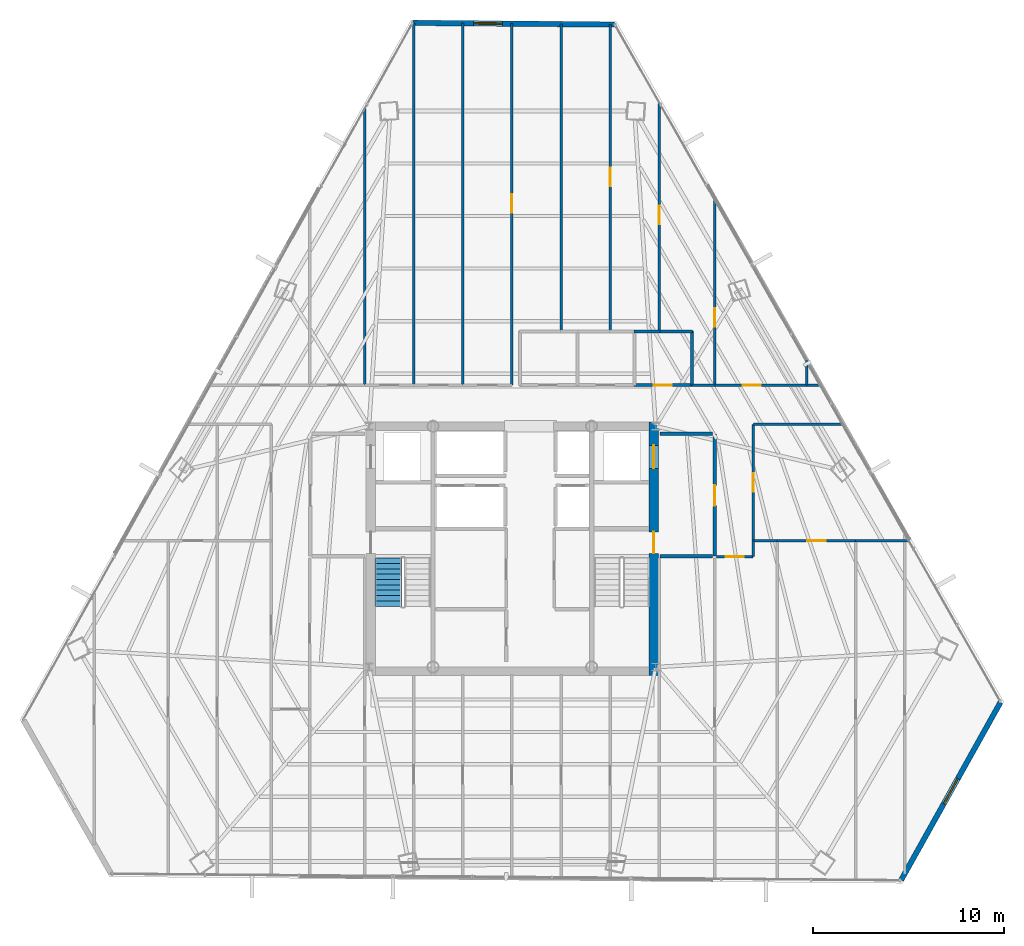
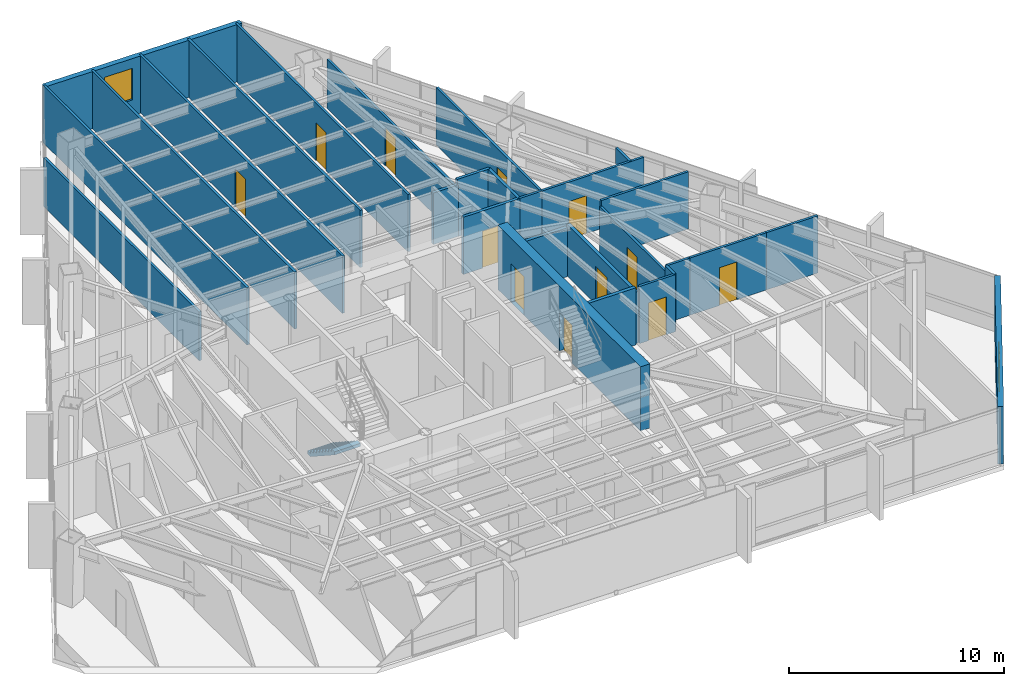
# One storey, part 36 of 40: 28 walls, 12 doors, 2 windows, 1 stair flight, 14 openings, 1 element without a shape of its own.
"""IFC4 building model written with IfcOpenShell, lengths in metres."""

from ifc_helpers import new_model, si_unit, direction, frame, frame_2d, origin, place, context, subcontext, project, spatial, polyline, rectangle, outline, extrude, material, layer, layer_set, type_object, element, fill, aggregate, save


model = new_model("IFC4")

# Units and contexts
model_context = context("Model", 3, precision=1e-05, world=origin(), true_north=direction((0.0, 1.0)))
body_context = subcontext(model_context, "Body", "Model", "MODEL_VIEW")
ifc_project = project(units=[si_unit("LENGTHUNIT", "METRE"), si_unit("AREAUNIT", "SQUARE_METRE"), si_unit("VOLUMEUNIT", "CUBIC_METRE"), si_unit("PLANEANGLEUNIT", "RADIAN"), si_unit("MASSUNIT", "GRAM", prefix="KILO")], contexts=[model_context])

# Site, building, storey
site_placement = place(None, origin())
site = spatial("IfcSite", under=ifc_project, at=site_placement, CompositionType="ELEMENT")
building_placement = place(site_placement, origin())
building = spatial("IfcBuilding", under=site, at=building_placement, Name="Caelisora Broadcast Tower", CompositionType="ELEMENT")
storey_placement = place(building_placement, frame((0.0, 0.0, 146.39990234375)))
storey = spatial("IfcBuildingStorey", under=building, at=storey_placement, Name="L38", CompositionType="ELEMENT", Elevation=146.39990234375)

# Wall, openings, doors
ifc_material_1 = material(Name="Concrete 50 MPa (AS 3600 S50)", Category="concrete")
ifc_layer_1 = layer(ifc_material_1, 0.5, Name="Concrete 50 MPa (AS 3600 S50)")
ifc_layer_set_1 = layer_set([ifc_layer_1], Name="Concrete 50 MPa (AS 3600 S50)")
wall_type_1 = type_object("IfcWallType", Name="CW2", PredefinedType="SHEAR", material=ifc_layer_set_1)
wall_1_placement = place(storey_placement, frame((45.409912109375, 16.949951171875, 0.0), z_axis=(0.0, 0.0, 1.0), x_axis=(0.0, 1.0, 0.0)))
wall_1 = element("IfcWall", 1, at=wall_1_placement, inside=storey, type_object=wall_type_1, Name="L38 core shear wall CW2", PredefinedType="SHEAR", context=body_context, shape_type="SweptSolid", body=[
    extrude(rectangle(XDim=13.275146484375, YDim=0.5, at=frame_2d((6.6376953125, 0.0))), origin(), (0.0, 0.0, 1.0), 3.650146484375),
])
opening_1_placement = place(wall_1_placement, frame((6.39990234375, 0.0, 0.0)))
opening_1 = element("IfcOpeningElement", 2, at=opening_1_placement, cuts=wall_1, Name="Opening FD04", PredefinedType="OPENING", context=body_context, shape_type="SweptSolid", body=[
    extrude(rectangle(XDim=1.1201171875, YDim=2.14990234375, at=frame_2d((0.56005859375, 1.074951171875))), frame((0.0, 0.261962890625, 0.0), z_axis=(0.0, -1.0, 0.0), x_axis=(1.0, 0.0, 0.0)), (0.0, 0.0, 1.0), 0.52392578125),
])
opening_2_placement = place(wall_1_placement, frame((10.85009765625, 0.0, 0.0)))
opening_2 = element("IfcOpeningElement", 3, at=opening_2_placement, cuts=wall_1, Name="Opening LD04", PredefinedType="OPENING", context=body_context, shape_type="SweptSolid", body=[
    extrude(rectangle(XDim=1.199951171875, YDim=2.199951171875, at=frame_2d((0.60009765625, 1.10009765625))), frame((0.0, 0.261962890625, 0.0), z_axis=(0.0, -1.0, 0.0), x_axis=(1.0, 0.0, 0.0)), (0.0, 0.0, 1.0), 0.52392578125),
])
ifc_material_2 = material(Name="Pressurised Fire-Isolated Stair Door", Category="steel")
door_type_1 = type_object("IfcDoorType", Name="FD04", OperationType="NOTDEFINED", PredefinedType="DOOR", material=ifc_material_2)
door_1_placement = place(opening_1_placement, origin())
door_1 = element("IfcDoor", 4, at=door_1_placement, inside=storey, type_object=door_type_1, Name="L38 door FD04 (L38-DR-ST2)", OperationType="SINGLE_SWING_RIGHT", OverallHeight=2.14990234375, OverallWidth=1.1201171875, PredefinedType="DOOR", context=body_context, shape_type="SweptSolid", body=[
    extrude(rectangle(XDim=1.1201171875, YDim=2.14990234375, at=frame_2d((0.56005859375, 1.074951171875))), frame((0.0, 0.02490234375, 0.0), z_axis=(0.0, -1.0, 0.0), x_axis=(1.0, 0.0, 0.0)), (0.0, 0.0, 1.0), 0.050048828125),
])
fill(opening_1, door_1)
ifc_material_3 = material(Name="Emergency Firefighting Lift Sliding Landing Door", Category="steel")
door_type_2 = type_object("IfcDoorType", Name="LD04", OperationType="NOTDEFINED", PredefinedType="DOOR", material=ifc_material_3)
door_2_placement = place(opening_2_placement, origin())
door_2 = element("IfcDoor", 5, at=door_2_placement, inside=storey, type_object=door_type_2, Name="L38 door LD04 (L38-LD-FFL2)", OperationType="SLIDING_TO_RIGHT", OverallHeight=2.199951171875, OverallWidth=1.199951171875, PredefinedType="DOOR", context=body_context, shape_type="SweptSolid", body=[
    extrude(rectangle(XDim=1.199951171875, YDim=2.199951171875, at=frame_2d((0.60009765625, 1.10009765625))), frame((0.0, 0.02490234375, 0.0), z_axis=(0.0, -1.0, 0.0), x_axis=(1.0, 0.0, 0.0)), (0.0, 0.0, 1.0), 0.050048828125),
])
fill(opening_2, door_2)

# Wall, opening, window
ifc_material_4 = material(Name="Insulated Terracotta Spandrel Wall System", Category="masonry")
ifc_layer_2 = layer(ifc_material_4, 0.280029296875, Name="Insulated Terracotta Spandrel Wall System")
ifc_layer_set_2 = layer_set([ifc_layer_2], Name="Insulated Terracotta Spandrel Wall System")
wall_type_2 = type_object("IfcWallType", Name="EW1", PredefinedType="STANDARD", material=ifc_layer_set_2)
wall_2_placement = place(storey_placement, frame((63.534423828125, 15.552734375, 0.0), z_axis=(0.0, 0.0, 1.0), x_axis=(-0.48784707471, -0.87292911035, 0.0)))
wall_2 = element("IfcWall", 6, at=wall_2_placement, inside=storey, type_object=wall_type_2, Name="L38 exterior envelope wall EW1", PredefinedType="STANDARD", context=body_context, shape_type="SweptSolid", body=[
    extrude(rectangle(XDim=10.638427734375, YDim=0.280029296875, at=frame_2d((5.3193359375, 0.0))), origin(), (0.0, 0.0, 1.0), 3.25),
])
opening_3_placement = place(wall_2_placement, frame((4.570068359375, 0.0, 0.89990234375)))
opening_3 = element("IfcOpeningElement", 7, at=opening_3_placement, cuts=wall_2, Name="Opening W02", PredefinedType="OPENING", context=body_context, shape_type="SweptSolid", body=[
    extrude(rectangle(XDim=1.5, YDim=1.800048828125, at=frame_2d((0.75, 0.89990234375))), frame((0.0, 0.152099609375, 0.0), z_axis=(0.0, -1.0, 0.0), x_axis=(1.0, 0.0, 0.0)), (0.0, 0.0, 1.0), 0.303955078125),
])
ifc_material_5 = material(Name="Double Glazed Terracotta-Framed Vision Window", Category="glass")
window_type = type_object("IfcWindowType", Name="W02", PartitioningType="SINGLE_PANEL", PredefinedType="WINDOW", material=ifc_material_5)
window_1_placement = place(opening_3_placement, origin())
window_1 = element("IfcWindow", 8, at=window_1_placement, inside=storey, type_object=window_type, Name="L38 window W02 (L38-WN-CH0)", OverallHeight=1.800048828125, OverallWidth=1.5, PartitioningType="SINGLE_PANEL", PredefinedType="WINDOW", context=body_context, shape_type="SweptSolid", body=[
    extrude(rectangle(XDim=1.5, YDim=1.800048828125, at=frame_2d((0.75, 0.89990234375))), frame((0.0, 0.030029296875, 0.0), z_axis=(0.0, -1.0, 0.0), x_axis=(1.0, 0.0, 0.0)), (0.0, 0.0, 1.0), 0.06005859375),
])
fill(opening_3, window_1)

wall_3_placement = place(storey_placement, frame((32.81591796875, 51.099853515625, 0.0), z_axis=(0.0, 0.0, 1.0), x_axis=(0.999966077303, -0.008236761739, 0.0)))
wall_3 = element("IfcWall", 9, at=wall_3_placement, inside=storey, type_object=wall_type_2, Name="L38 exterior envelope wall EW1", PredefinedType="STANDARD", context=body_context, shape_type="SweptSolid", body=[
    extrude(rectangle(XDim=10.522216796875, YDim=0.280029296875, at=frame_2d((5.26123046875, 0.0))), origin(), (0.0, 0.0, 1.0), 3.25),
])
opening_4_placement = place(wall_3_placement, frame((3.159912109375, 0.0, 0.89990234375)))
opening_4 = element("IfcOpeningElement", 10, at=opening_4_placement, cuts=wall_3, Name="Opening W02", PredefinedType="OPENING", context=body_context, shape_type="SweptSolid", body=[
    extrude(rectangle(XDim=1.5, YDim=1.800048828125, at=frame_2d((0.75, 0.89990234375))), frame((0.0, 0.152099609375, 0.0), z_axis=(0.0, -1.0, 0.0), x_axis=(1.0, 0.0, 0.0)), (0.0, 0.0, 1.0), 0.303955078125),
])
window_2_placement = place(opening_4_placement, origin())
window_2 = element("IfcWindow", 11, at=window_2_placement, inside=storey, type_object=window_type, Name="L38 window W02 (L38-WN-CH8)", OverallHeight=1.800048828125, OverallWidth=1.5, PartitioningType="SINGLE_PANEL", PredefinedType="WINDOW", context=body_context, shape_type="SweptSolid", body=[
    extrude(rectangle(XDim=1.5, YDim=1.800048828125, at=frame_2d((0.75, 0.89990234375))), frame((0.0, 0.030029296875, 0.0), z_axis=(0.0, -1.0, 0.0), x_axis=(1.0, 0.0, 0.0)), (0.0, 0.0, 1.0), 0.06005859375),
])
fill(opening_4, window_2)

# Wall, opening, door
ifc_material_6 = material(Name="Fire-Rated Gypsum Shaft and Compartment Wall", Category="gypsum")
ifc_layer_3 = layer(ifc_material_6, 0.179931640625, Name="Fire-Rated Gypsum Shaft and Compartment Wall")
ifc_layer_set_3 = layer_set([ifc_layer_3], Name="Fire-Rated Gypsum Shaft and Compartment Wall")
wall_type_3 = type_object("IfcWallType", Name="PW2", PredefinedType="PARTITIONING", material=ifc_layer_set_3)
wall_4_placement = place(storey_placement, frame((48.580078125, 23.199951171875, 0.0), z_axis=(0.0, 0.0, 1.0), x_axis=(0.0, 1.0, 0.0)))
wall_4 = element("IfcWall", 12, at=wall_4_placement, inside=storey, type_object=wall_type_3, Name="L38 fire compartment wall PW2", PredefinedType="PARTITIONING", context=body_context, shape_type="SweptSolid", body=[
    extrude(rectangle(XDim=6.400146484375, YDim=0.179931640625, at=frame_2d((3.2001953125, 0.0))), origin(), (0.0, 0.0, 1.0), 2.927978515625),
])
opening_5_placement = place(wall_4_placement, frame((2.64990234375, 0.0, 0.0)))
opening_5 = element("IfcOpeningElement", 13, at=opening_5_placement, cuts=wall_4, Name="Opening FD02", PredefinedType="OPENING", context=body_context, shape_type="SweptSolid", body=[
    extrude(rectangle(XDim=1.050048828125, YDim=2.14990234375, at=frame_2d((0.52490234375, 1.074951171875))), frame((0.0, 0.10205078125, 0.0), z_axis=(0.0, -1.0, 0.0), x_axis=(1.0, 0.0, 0.0)), (0.0, 0.0, 1.0), 0.203857421875),
])
ifc_material_7 = material(Name="Single-Leaf Steel Fire Lobby Door", Category="steel")
door_type_3 = type_object("IfcDoorType", Name="FD02", OperationType="NOTDEFINED", PredefinedType="DOOR", material=ifc_material_7)
door_3_placement = place(opening_5_placement, origin())
door_3 = element("IfcDoor", 14, at=door_3_placement, inside=storey, type_object=door_type_3, Name="L38 door FD02 (L38-DR-P04D1)", OperationType="SINGLE_SWING_RIGHT", OverallHeight=2.14990234375, OverallWidth=1.050048828125, PredefinedType="DOOR", context=body_context, shape_type="SweptSolid", body=[
    extrude(rectangle(XDim=1.050048828125, YDim=2.14990234375, at=frame_2d((0.52490234375, 1.074951171875))), frame((0.0, 0.02490234375, 0.0), z_axis=(0.0, -1.0, 0.0), x_axis=(1.0, 0.0, 0.0)), (0.0, 0.0, 1.0), 0.050048828125),
])
fill(opening_5, door_3)

# Walls
wall_5_placement = place(storey_placement, frame((45.719970703125, 23.199951171875, 0.0), z_axis=(0.0, 0.0, 1.0), x_axis=(1.0, 0.0, 0.0)))
element("IfcWall", 15, at=wall_5_placement, inside=storey, type_object=wall_type_3, Name="L38 fire compartment wall PW2", PredefinedType="PARTITIONING", context=body_context, shape_type="SweptSolid", body=[
    extrude(rectangle(XDim=2.760009765625, YDim=0.179931640625, at=frame_2d((1.3798828125, 0.0))), origin(), (0.0, 0.0, 1.0), 3.25),
])
wall_6_placement = place(storey_placement, frame((45.719970703125, 29.60009765625, 0.0), z_axis=(0.0, 0.0, 1.0), x_axis=(1.0, 0.0, 0.0)))
element("IfcWall", 16, at=wall_6_placement, inside=storey, type_object=wall_type_3, Name="L38 fire compartment wall PW2", PredefinedType="PARTITIONING", context=body_context, shape_type="SweptSolid", body=[
    extrude(rectangle(XDim=2.760009765625, YDim=0.179931640625, at=frame_2d((1.3798828125, 0.0))), origin(), (0.0, 0.0, 1.0), 2.774658203125),
])
ifc_material_8 = material(Name="Acoustic Steel-Stud Plasterboard Partition", Category="gypsum")
ifc_layer_4 = layer(ifc_material_8, 0.1298828125, Name="Acoustic Steel-Stud Plasterboard Partition")
ifc_layer_set_4 = layer_set([ifc_layer_4], Name="Acoustic Steel-Stud Plasterboard Partition")
wall_type_4 = type_object("IfcWallType", Name="PW3", PredefinedType="PARTITIONING", material=ifc_layer_set_4)
wall_7_placement = place(storey_placement, frame((32.85009765625, 32.155029296875, 0.0), z_axis=(0.0, 0.0, 1.0), x_axis=(0.0, 1.0, 0.0)))
element("IfcWall", 17, at=wall_7_placement, inside=storey, type_object=wall_type_4, Name="L38 internal partition PW3", PredefinedType="PARTITIONING", context=body_context, shape_type="SweptSolid", body=[
    extrude(rectangle(XDim=18.94970703125, YDim=0.1298828125, at=frame_2d((9.474853515625, 0.0))), origin(), (0.0, 0.0, 1.0), 3.25),
])
wall_8_placement = place(storey_placement, frame((35.409912109375, 32.155029296875, 0.0), z_axis=(0.0, 0.0, 1.0), x_axis=(0.0, 1.0, 0.0)))
element("IfcWall", 18, at=wall_8_placement, inside=storey, type_object=wall_type_4, Name="L38 internal partition PW3", PredefinedType="PARTITIONING", context=body_context, shape_type="SweptSolid", body=[
    extrude(rectangle(XDim=18.928466796875, YDim=0.1298828125, at=frame_2d((9.46435546875, 0.0))), origin(), (0.0, 0.0, 1.0), 3.25),
])

# Wall, opening, door
wall_9_placement = place(storey_placement, frame((37.97998046875, 32.155029296875, 0.0), z_axis=(0.0, 0.0, 1.0), x_axis=(0.0, 1.0, 0.0)))
wall_9 = element("IfcWall", 19, at=wall_9_placement, inside=storey, type_object=wall_type_4, Name="L38 internal partition PW3", PredefinedType="PARTITIONING", context=body_context, shape_type="SweptSolid", body=[
    extrude(rectangle(XDim=18.9072265625, YDim=0.1298828125, at=frame_2d((9.45361328125, 0.0))), origin(), (0.0, 0.0, 1.0), 3.25),
])
opening_6_placement = place(wall_9_placement, frame((9.02197265625, 0.0, 0.0)))
opening_6 = element("IfcOpeningElement", 20, at=opening_6_placement, cuts=wall_9, Name="Opening D01", PredefinedType="OPENING", context=body_context, shape_type="SweptSolid", body=[
    extrude(rectangle(XDim=0.9599609375, YDim=2.14990234375, at=frame_2d((0.47998046875, 1.074951171875))), frame((0.0, 0.076904296875, 0.0), z_axis=(0.0, -1.0, 0.0), x_axis=(1.0, 0.0, 0.0)), (0.0, 0.0, 1.0), 0.15380859375),
])
ifc_material_9 = material(Name="Solid-Core Timber Acoustic Office Door", Category="wood")
door_type_4 = type_object("IfcDoorType", Name="D01", OperationType="NOTDEFINED", PredefinedType="DOOR", material=ifc_material_9)
door_4_placement = place(opening_6_placement, origin())
door_4 = element("IfcDoor", 21, at=door_4_placement, inside=storey, type_object=door_type_4, Name="L38 door D01 (L38-DR-P29D1)", OperationType="SINGLE_SWING_LEFT", OverallHeight=2.14990234375, OverallWidth=0.9599609375, PredefinedType="DOOR", context=body_context, shape_type="SweptSolid", body=[
    extrude(rectangle(XDim=0.9599609375, YDim=2.14990234375, at=frame_2d((0.47998046875, 1.074951171875))), frame((0.0, 0.02490234375, 0.0), z_axis=(0.0, -1.0, 0.0), x_axis=(1.0, 0.0, 0.0)), (0.0, 0.0, 1.0), 0.050048828125),
])
fill(opening_6, door_4)

# Wall
wall_10_placement = place(storey_placement, frame((40.550048828125, 34.955078125, 0.0), z_axis=(0.0, 0.0, 1.0), x_axis=(0.0, 1.0, 0.0)))
element("IfcWall", 22, at=wall_10_placement, inside=storey, type_object=wall_type_4, Name="L38 internal partition PW3", PredefinedType="PARTITIONING", context=body_context, shape_type="SweptSolid", body=[
    extrude(rectangle(XDim=16.0859375, YDim=0.1298828125, at=frame_2d((8.04296875, 0.0))), origin(), (0.0, 0.0, 1.0), 3.25),
])

# Wall, opening, door
wall_11_placement = place(storey_placement, frame((43.1201171875, 34.955078125, 0.0), z_axis=(0.0, 0.0, 1.0), x_axis=(0.0, 1.0, 0.0)))
wall_11 = element("IfcWall", 23, at=wall_11_placement, inside=storey, type_object=wall_type_4, Name="L38 internal partition PW3", PredefinedType="PARTITIONING", context=body_context, shape_type="SweptSolid", body=[
    extrude(rectangle(XDim=16.064697265625, YDim=0.1298828125, at=frame_2d((8.0322265625, 0.0))), origin(), (0.0, 0.0, 1.0), 3.25),
])
opening_7_placement = place(wall_11_placement, frame((7.597900390625, 0.0, 0.0)))
opening_7 = element("IfcOpeningElement", 24, at=opening_7_placement, cuts=wall_11, Name="Opening D01", PredefinedType="OPENING", context=body_context, shape_type="SweptSolid", body=[
    extrude(rectangle(XDim=0.9599609375, YDim=2.14990234375, at=frame_2d((0.47998046875, 1.074951171875))), frame((0.0, 0.076904296875, 0.0), z_axis=(0.0, -1.0, 0.0), x_axis=(1.0, 0.0, 0.0)), (0.0, 0.0, 1.0), 0.15380859375),
])
door_5_placement = place(opening_7_placement, origin())
door_5 = element("IfcDoor", 25, at=door_5_placement, inside=storey, type_object=door_type_4, Name="L38 door D01 (L38-DR-P39D1)", OperationType="SINGLE_SWING_RIGHT", OverallHeight=2.14990234375, OverallWidth=0.9599609375, PredefinedType="DOOR", context=body_context, shape_type="SweptSolid", body=[
    extrude(rectangle(XDim=0.9599609375, YDim=2.14990234375, at=frame_2d((0.47998046875, 1.074951171875))), frame((0.0, 0.02490234375, 0.0), z_axis=(0.0, -1.0, 0.0), x_axis=(1.0, 0.0, 0.0)), (0.0, 0.0, 1.0), 0.050048828125),
])
fill(opening_7, door_5)

# Wall
wall_12_placement = place(storey_placement, frame((30.280029296875, 32.155029296875, 0.0), z_axis=(0.0, 0.0, 1.0), x_axis=(0.0, 1.0, 0.0)))
element("IfcWall", 26, at=wall_12_placement, inside=storey, type_object=wall_type_4, Name="L38 internal partition PW3", PredefinedType="PARTITIONING", context=body_context, shape_type="SweptSolid", body=[
    extrude(rectangle(XDim=14.470703125, YDim=0.1298828125, at=frame_2d((7.2353515625, 0.0))), origin(), (0.0, 0.0, 1.0), 2.774658203125),
])

# Wall, opening, door
wall_13_placement = place(storey_placement, frame((45.68994140625, 34.955078125, 0.0), z_axis=(0.0, 0.0, 1.0), x_axis=(0.0, 1.0, 0.0)))
wall_13 = element("IfcWall", 27, at=wall_13_placement, inside=storey, type_object=wall_type_4, Name="L38 internal partition PW3", PredefinedType="PARTITIONING", context=body_context, shape_type="SweptSolid", body=[
    extrude(rectangle(XDim=11.991455078125, YDim=0.1298828125, at=frame_2d((5.99560546875, 0.0))), origin(), (0.0, 0.0, 1.0), 2.774658203125),
])
opening_8_placement = place(wall_13_placement, frame((5.613037109375, 0.0, 0.0)))
opening_8 = element("IfcOpeningElement", 28, at=opening_8_placement, cuts=wall_13, Name="Opening D01", PredefinedType="OPENING", context=body_context, shape_type="SweptSolid", body=[
    extrude(rectangle(XDim=0.9599609375, YDim=2.14990234375, at=frame_2d((0.47998046875, 1.074951171875))), frame((0.0, 0.076904296875, 0.0), z_axis=(0.0, -1.0, 0.0), x_axis=(1.0, 0.0, 0.0)), (0.0, 0.0, 1.0), 0.15380859375),
])
door_6_placement = place(opening_8_placement, origin())
door_6 = element("IfcDoor", 29, at=door_6_placement, inside=storey, type_object=door_type_4, Name="L38 door D01 (L38-DR-P42D1)", OperationType="SINGLE_SWING_RIGHT", OverallHeight=2.14990234375, OverallWidth=0.9599609375, PredefinedType="DOOR", context=body_context, shape_type="SweptSolid", body=[
    extrude(rectangle(XDim=0.9599609375, YDim=2.14990234375, at=frame_2d((0.47998046875, 1.074951171875))), frame((0.0, 0.02490234375, 0.0), z_axis=(0.0, -1.0, 0.0), x_axis=(1.0, 0.0, 0.0)), (0.0, 0.0, 1.0), 0.050048828125),
])
fill(opening_8, door_6)

wall_14_placement = place(storey_placement, frame((48.60009765625, 32.155029296875, 0.0), z_axis=(0.0, 0.0, 1.0), x_axis=(0.0, 1.0, 0.0)))
wall_14 = element("IfcWall", 30, at=wall_14_placement, inside=storey, type_object=wall_type_4, Name="L38 internal partition PW3", PredefinedType="PARTITIONING", context=body_context, shape_type="SweptSolid", body=[
    extrude(rectangle(XDim=9.681884765625, YDim=0.1298828125, at=frame_2d((4.8408203125, 0.0))), origin(), (0.0, 0.0, 1.0), 3.25),
])
opening_9_placement = place(wall_14_placement, frame((3.06005859375, 0.0, 0.0)))
opening_9 = element("IfcOpeningElement", 31, at=opening_9_placement, cuts=wall_14, Name="Opening D01", PredefinedType="OPENING", context=body_context, shape_type="SweptSolid", body=[
    extrude(rectangle(XDim=0.9599609375, YDim=2.14990234375, at=frame_2d((0.47998046875, 1.074951171875))), frame((0.0, 0.076904296875, 0.0), z_axis=(0.0, -1.0, 0.0), x_axis=(1.0, 0.0, 0.0)), (0.0, 0.0, 1.0), 0.15380859375),
])
door_7_placement = place(opening_9_placement, origin())
door_7 = element("IfcDoor", 32, at=door_7_placement, inside=storey, type_object=door_type_4, Name="L38 door D01 (L38-DR-P49D1)", OperationType="SINGLE_SWING_RIGHT", OverallHeight=2.14990234375, OverallWidth=0.9599609375, PredefinedType="DOOR", context=body_context, shape_type="SweptSolid", body=[
    extrude(rectangle(XDim=0.9599609375, YDim=2.14990234375, at=frame_2d((0.47998046875, 1.074951171875))), frame((0.0, 0.02490234375, 0.0), z_axis=(0.0, -1.0, 0.0), x_axis=(1.0, 0.0, 0.0)), (0.0, 0.0, 1.0), 0.050048828125),
])
fill(opening_9, door_7)

wall_15_placement = place(storey_placement, frame((50.60009765625, 24.0048828125, 0.0), z_axis=(0.0, 0.0, 1.0), x_axis=(0.0, 1.0, 0.0)))
wall_15 = element("IfcWall", 33, at=wall_15_placement, inside=storey, type_object=wall_type_4, Name="L38 internal partition PW3", PredefinedType="PARTITIONING", context=body_context, shape_type="SweptSolid", body=[
    extrude(rectangle(XDim=6.090087890625, YDim=0.1298828125, at=frame_2d((3.044921875, 0.0))), origin(), (0.0, 0.0, 1.0), 2.927978515625),
])
opening_10_placement = place(wall_15_placement, frame((2.56494140625, 0.0, 0.0)))
opening_10 = element("IfcOpeningElement", 34, at=opening_10_placement, cuts=wall_15, Name="Opening D01", PredefinedType="OPENING", context=body_context, shape_type="SweptSolid", body=[
    extrude(rectangle(XDim=0.9599609375, YDim=2.14990234375, at=frame_2d((0.47998046875, 1.074951171875))), frame((0.0, 0.076904296875, 0.0), z_axis=(0.0, -1.0, 0.0), x_axis=(1.0, 0.0, 0.0)), (0.0, 0.0, 1.0), 0.15380859375),
])
door_8_placement = place(opening_10_placement, origin())
door_8 = element("IfcDoor", 35, at=door_8_placement, inside=storey, type_object=door_type_4, Name="L38 door D01 (L38-DR-P57D1)", OperationType="SINGLE_SWING_RIGHT", OverallHeight=2.14990234375, OverallWidth=0.9599609375, PredefinedType="DOOR", context=body_context, shape_type="SweptSolid", body=[
    extrude(rectangle(XDim=0.9599609375, YDim=2.14990234375, at=frame_2d((0.47998046875, 1.074951171875))), frame((0.0, 0.02490234375, 0.0), z_axis=(0.0, -1.0, 0.0), x_axis=(1.0, 0.0, 0.0)), (0.0, 0.0, 1.0), 0.050048828125),
])
fill(opening_10, door_8)

wall_16_placement = place(storey_placement, frame((48.60498046875, 32.14990234375, 0.0), z_axis=(0.0, 0.0, 1.0), x_axis=(1.0, 0.0, 0.0)))
wall_16 = element("IfcWall", 36, at=wall_16_placement, inside=storey, type_object=wall_type_4, Name="L38 internal partition PW3", PredefinedType="PARTITIONING", context=body_context, shape_type="SweptSolid", body=[
    extrude(rectangle(XDim=5.486328125, YDim=0.1298828125, at=frame_2d((2.7431640625, 0.0))), origin(), (0.0, 0.0, 1.0), 3.25),
])
opening_11_placement = place(wall_16_placement, frame((1.43994140625, 0.0, 0.0)))
opening_11 = element("IfcOpeningElement", 37, at=opening_11_placement, cuts=wall_16, Name="Opening D01", PredefinedType="OPENING", context=body_context, shape_type="SweptSolid", body=[
    extrude(rectangle(XDim=0.9599609375, YDim=2.14990234375, at=frame_2d((0.47998046875, 1.074951171875))), frame((0.0, 0.076904296875, 0.0), z_axis=(0.0, -1.0, 0.0), x_axis=(1.0, 0.0, 0.0)), (0.0, 0.0, 1.0), 0.15380859375),
])
door_9_placement = place(opening_11_placement, origin())
door_9 = element("IfcDoor", 38, at=door_9_placement, inside=storey, type_object=door_type_4, Name="L38 door D01 (L38-DR-P60D1)", OperationType="SINGLE_SWING_RIGHT", OverallHeight=2.14990234375, OverallWidth=0.9599609375, PredefinedType="DOOR", context=body_context, shape_type="SweptSolid", body=[
    extrude(rectangle(XDim=0.9599609375, YDim=2.14990234375, at=frame_2d((0.47998046875, 1.074951171875))), frame((0.0, 0.02490234375, 0.0), z_axis=(0.0, -1.0, 0.0), x_axis=(1.0, 0.0, 0.0)), (0.0, 0.0, 1.0), 0.050048828125),
])
fill(opening_11, door_9)

# Wall
wall_17_placement = place(storey_placement, frame((50.60498046875, 30.10009765625, 0.0), z_axis=(0.0, 0.0, 1.0), x_axis=(1.0, 0.0, 0.0)))
element("IfcWall", 39, at=wall_17_placement, inside=storey, type_object=wall_type_4, Name="L38 internal partition PW3", PredefinedType="PARTITIONING", context=body_context, shape_type="SweptSolid", body=[
    extrude(rectangle(XDim=4.6796875, YDim=0.1298828125, at=frame_2d((2.33984375, 0.0))), origin(), (0.0, 0.0, 1.0), 3.25),
])

# Wall, opening, door
wall_18_placement = place(storey_placement, frame((51.85498046875, 24.0, 0.0), z_axis=(0.0, 0.0, 1.0), x_axis=(1.0, 0.0, 0.0)))
wall_18 = element("IfcWall", 40, at=wall_18_placement, inside=storey, type_object=wall_type_4, Name="L38 internal partition PW3", PredefinedType="PARTITIONING", context=body_context, shape_type="SweptSolid", body=[
    extrude(rectangle(XDim=4.10009765625, YDim=0.1298828125, at=frame_2d((2.050048828125, 0.0))), origin(), (0.0, 0.0, 1.0), 3.25),
])
opening_12_placement = place(wall_18_placement, frame((1.570068359375, 0.0, 0.0)))
opening_12 = element("IfcOpeningElement", 41, at=opening_12_placement, cuts=wall_18, Name="Opening D01", PredefinedType="OPENING", context=body_context, shape_type="SweptSolid", body=[
    extrude(rectangle(XDim=0.9599609375, YDim=2.14990234375, at=frame_2d((0.47998046875, 1.074951171875))), frame((0.0, 0.076904296875, 0.0), z_axis=(0.0, -1.0, 0.0), x_axis=(1.0, 0.0, 0.0)), (0.0, 0.0, 1.0), 0.15380859375),
])
door_10_placement = place(opening_12_placement, origin())
door_10 = element("IfcDoor", 42, at=door_10_placement, inside=storey, type_object=door_type_4, Name="L38 door D01 (L38-DR-P62D1)", OperationType="SINGLE_SWING_LEFT", OverallHeight=2.14990234375, OverallWidth=0.9599609375, PredefinedType="DOOR", context=body_context, shape_type="SweptSolid", body=[
    extrude(rectangle(XDim=0.9599609375, YDim=2.14990234375, at=frame_2d((0.47998046875, 1.074951171875))), frame((0.0, 0.02490234375, 0.0), z_axis=(0.0, -1.0, 0.0), x_axis=(1.0, 0.0, 0.0)), (0.0, 0.0, 1.0), 0.050048828125),
])
fill(opening_12, door_10)

# Wall
wall_19_placement = place(storey_placement, frame((55.965087890625, 24.0, 0.0), z_axis=(0.0, 0.0, 1.0), x_axis=(1.0, 0.0, 0.0)))
element("IfcWall", 43, at=wall_19_placement, inside=storey, type_object=wall_type_4, Name="L38 internal partition PW3", PredefinedType="PARTITIONING", context=body_context, shape_type="SweptSolid", body=[
    extrude(rectangle(XDim=2.767822265625, YDim=0.1298828125, at=frame_2d((1.3837890625, 0.0))), origin(), (0.0, 0.0, 1.0), 3.25),
])

# Wall, opening, door
wall_20_placement = place(storey_placement, frame((48.675048828125, 23.179931640625, 0.0), z_axis=(0.0, 0.0, 1.0), x_axis=(1.0, 0.0, 0.0)))
wall_20 = element("IfcWall", 44, at=wall_20_placement, inside=storey, type_object=wall_type_4, Name="L38 internal partition PW3", PredefinedType="PARTITIONING", context=body_context, shape_type="SweptSolid", body=[
    extrude(rectangle(XDim=1.919921875, YDim=0.1298828125, at=frame_2d((0.9599609375, 0.0))), origin(), (0.0, 0.0, 1.0), 3.25),
])
opening_13_placement = place(wall_20_placement, frame((0.47998046875, 0.0, 0.0)))
opening_13 = element("IfcOpeningElement", 45, at=opening_13_placement, cuts=wall_20, Name="Opening D01", PredefinedType="OPENING", context=body_context, shape_type="SweptSolid", body=[
    extrude(rectangle(XDim=0.9599609375, YDim=2.14990234375, at=frame_2d((0.47998046875, 1.074951171875))), frame((0.0, 0.076904296875, 0.0), z_axis=(0.0, -1.0, 0.0), x_axis=(1.0, 0.0, 0.0)), (0.0, 0.0, 1.0), 0.15380859375),
])
door_11_placement = place(opening_13_placement, origin())
door_11 = element("IfcDoor", 46, at=door_11_placement, inside=storey, type_object=door_type_4, Name="L38 door D01 (L38-DR-P72D1)", OperationType="SINGLE_SWING_LEFT", OverallHeight=2.14990234375, OverallWidth=0.9599609375, PredefinedType="DOOR", context=body_context, shape_type="SweptSolid", body=[
    extrude(rectangle(XDim=0.9599609375, YDim=2.14990234375, at=frame_2d((0.47998046875, 1.074951171875))), frame((0.0, 0.02490234375, 0.0), z_axis=(0.0, -1.0, 0.0), x_axis=(1.0, 0.0, 0.0)), (0.0, 0.0, 1.0), 0.050048828125),
])
fill(opening_13, door_11)

# Walls
wall_21_placement = place(storey_placement, frame((53.389892578125, 33.426513671875, 0.0), z_axis=(0.0, 0.0, 1.0), x_axis=(0.0, -1.0, 0.0)))
element("IfcWall", 47, at=wall_21_placement, inside=storey, type_object=wall_type_4, Name="L38 internal partition PW3", PredefinedType="PARTITIONING", context=body_context, shape_type="SweptSolid", body=[
    extrude(rectangle(XDim=1.271484375, YDim=0.1298828125, at=frame_2d((0.6357421875, 0.0))), origin(), (0.0, 0.0, 1.0), 3.25),
])
wall_22_placement = place(storey_placement, frame((50.60498046875, 24.0, 0.0), z_axis=(0.0, 0.0, 1.0), x_axis=(1.0, 0.0, 0.0)))
element("IfcWall", 48, at=wall_22_placement, inside=storey, type_object=wall_type_4, Name="L38 internal partition PW3", PredefinedType="PARTITIONING", context=body_context, shape_type="SweptSolid", body=[
    extrude(rectangle(XDim=1.239990234375, YDim=0.1298828125, at=frame_2d((0.6201171875, 0.0))), origin(), (0.0, 0.0, 1.0), 3.25),
])
wall_23_placement = place(storey_placement, frame((47.405029296875, 32.14990234375, 0.0), z_axis=(0.0, 0.0, 1.0), x_axis=(1.0, 0.0, 0.0)))
element("IfcWall", 49, at=wall_23_placement, inside=storey, type_object=wall_type_4, Name="L38 internal partition PW3", PredefinedType="PARTITIONING", context=body_context, shape_type="SweptSolid", body=[
    extrude(rectangle(XDim=1.18994140625, YDim=0.1298828125, at=frame_2d((0.594970703125, 0.0))), origin(), (0.0, 0.0, 1.0), 3.25),
])
wall_24_placement = place(storey_placement, frame((50.60009765625, 23.18505859375, 0.0), z_axis=(0.0, 0.0, 1.0), x_axis=(0.0, 1.0, 0.0)))
element("IfcWall", 50, at=wall_24_placement, inside=storey, type_object=wall_type_4, Name="L38 internal partition PW3", PredefinedType="PARTITIONING", context=body_context, shape_type="SweptSolid", body=[
    extrude(rectangle(XDim=0.81005859375, YDim=0.1298828125, at=frame_2d((0.405029296875, 0.0))), origin(), (0.0, 0.0, 1.0), 3.25),
])

# Wall, opening, door
ifc_material_10 = material(Name="Moisture-Resistant Wet Plumbing Service Wall", Category="gypsum")
ifc_layer_5 = layer(ifc_material_10, 0.159912109375, Name="Moisture-Resistant Wet Plumbing Service Wall")
ifc_layer_set_5 = layer_set([ifc_layer_5], Name="Moisture-Resistant Wet Plumbing Service Wall")
wall_type_5 = type_object("IfcWallType", Name="PW4", PredefinedType="PLUMBINGWALL", material=ifc_layer_set_5)
wall_25_placement = place(storey_placement, frame((44.375, 32.14990234375, 0.0), z_axis=(0.0, 0.0, 1.0), x_axis=(1.0, 0.0, 0.0)))
wall_25 = element("IfcWall", 51, at=wall_25_placement, inside=storey, type_object=wall_type_5, Name="L38 wet plumbing wall PW4", PredefinedType="PLUMBINGWALL", context=body_context, shape_type="SweptSolid", body=[
    extrude(rectangle(XDim=3.050048828125, YDim=0.159912109375, at=frame_2d((1.52490234375, 0.0))), origin(), (0.0, 0.0, 1.0), 3.25),
])
opening_14_placement = place(wall_25_placement, frame((1.034912109375, 0.0, 0.0)))
opening_14 = element("IfcOpeningElement", 52, at=opening_14_placement, cuts=wall_25, Name="Opening D03", PredefinedType="OPENING", context=body_context, shape_type="SweptSolid", body=[
    extrude(rectangle(XDim=0.919921875, YDim=2.10009765625, at=frame_2d((0.4599609375, 1.050048828125))), frame((0.0, 0.092041015625, 0.0), z_axis=(0.0, -1.0, 0.0), x_axis=(1.0, 0.0, 0.0)), (0.0, 0.0, 1.0), 0.183837890625),
])
ifc_material_11 = material(Name="Laminate Moisture-Resistant Amenity WC Door", Category="wood")
door_type_5 = type_object("IfcDoorType", Name="D03", OperationType="NOTDEFINED", PredefinedType="DOOR", material=ifc_material_11)
door_12_placement = place(opening_14_placement, origin())
door_12 = element("IfcDoor", 53, at=door_12_placement, inside=storey, type_object=door_type_5, Name="L38 door D03 (L38-DR-P16D1)", OperationType="SINGLE_SWING_RIGHT", OverallHeight=2.10009765625, OverallWidth=0.919921875, PredefinedType="DOOR", context=body_context, shape_type="SweptSolid", body=[
    extrude(rectangle(XDim=0.919921875, YDim=2.10009765625, at=frame_2d((0.4599609375, 1.050048828125))), frame((0.0, 0.02490234375, 0.0), z_axis=(0.0, -1.0, 0.0), x_axis=(1.0, 0.0, 0.0)), (0.0, 0.0, 1.0), 0.050048828125),
])
fill(opening_14, door_12)

# Walls
wall_26_placement = place(storey_placement, frame((47.39990234375, 32.125, 0.0), z_axis=(0.0, 0.0, 1.0), x_axis=(0.0, 1.0, 0.0)))
element("IfcWall", 54, at=wall_26_placement, inside=storey, type_object=wall_type_5, Name="L38 wet plumbing wall PW4", PredefinedType="PLUMBINGWALL", context=body_context, shape_type="SweptSolid", body=[
    extrude(rectangle(XDim=2.85009765625, YDim=0.159912109375, at=frame_2d((1.425048828125, 0.0))), origin(), (0.0, 0.0, 1.0), 3.25),
])
wall_27_placement = place(storey_placement, frame((47.425048828125, 34.949951171875, 0.0), z_axis=(0.0, 0.0, 1.0), x_axis=(-1.0, 0.0, 0.0)))
element("IfcWall", 55, at=wall_27_placement, inside=storey, type_object=wall_type_5, Name="L38 wet plumbing wall PW4", PredefinedType="PLUMBINGWALL", context=body_context, shape_type="SweptSolid", body=[
    extrude(rectangle(XDim=1.760009765625, YDim=0.159912109375, at=frame_2d((0.8798828125, 0.0))), origin(), (0.0, 0.0, 1.0), 3.25),
])
wall_28_placement = place(storey_placement, frame((44.375, 34.949951171875, 0.0), z_axis=(0.0, 0.0, 1.0), x_axis=(1.0, 0.0, 0.0)))
element("IfcWall", 56, at=wall_28_placement, inside=storey, type_object=wall_type_5, Name="L38 wet plumbing wall PW4", PredefinedType="PLUMBINGWALL", context=body_context, shape_type="SweptSolid", body=[
    extrude(rectangle(XDim=1.340087890625, YDim=0.159912109375, at=frame_2d((0.669921875, 0.0))), origin(), (0.0, 0.0, 1.0), 2.927978515625),
])

# Stair, stair flight
ifc_material_12 = material(Name="Concrete 40 MPa (AS 3600 N40)", Category="concrete")
stair_type = type_object("IfcStairType", Name="ST-1", PredefinedType="HALF_TURN_STAIR", material=ifc_material_12)
stair_placement = place(storey_placement, origin())
stair = element("IfcStair", 57, at=stair_placement, inside=storey, type_object=stair_type, Name="L38 West Fire-Isolated Tower Stair", PredefinedType="HALF_TURN_STAIR")
stair_flight_type = type_object("IfcStairFlightType", Name="STF-3", PredefinedType="STRAIGHT", material=ifc_material_12)
stair_flight_placement = place(storey_placement, frame((31.52001953125, 23.10009765625, 0.0), z_axis=(0.0, 0.0, 1.0), x_axis=(0.0, -1.0, 0.0)))
stair_flight = element("IfcStairFlight", 58, at=stair_flight_placement, type_object=stair_flight_type, Name="ST-1 flight 1", NumberOfRisers=10, NumberOfTreads=9, PredefinedType="STRAIGHT", RiserHeight=0.1825, TreadLength=0.28, context=body_context, shape_type="SweptSolid", body=[
    extrude(outline(polyline([(0.0, 0.0), (0.0, 0.1826171875), (0.280029296875, 0.1826171875), (0.280029296875, 0.364990234375), (0.56005859375, 0.364990234375), (0.56005859375, 0.547607421875), (0.840087890625, 0.547607421875), (0.840087890625, 0.72998046875), (1.1201171875, 0.72998046875), (1.1201171875, 0.91259765625), (1.39990234375, 0.91259765625), (1.39990234375, 1.094970703125), (1.679931640625, 1.094970703125), (1.679931640625, 1.277587890625), (1.9599609375, 1.277587890625), (1.9599609375, 1.4599609375), (2.239990234375, 1.4599609375), (2.239990234375, 1.642578125), (2.52001953125, 1.642578125), (2.52001953125, 1.824951171875), (2.52001953125, 1.463623046875), (0.2744140625, 0.0), (0.0, 0.0)])), frame((0.0, 0.699951171875, 0.0), z_axis=(0.0, -1.0, 0.0), x_axis=(1.0, 0.0, 0.0)), (0.0, 0.0, 1.0), 1.39990234375),
])
aggregate(stair, [stair_flight])

save(model, "model.ifc")
